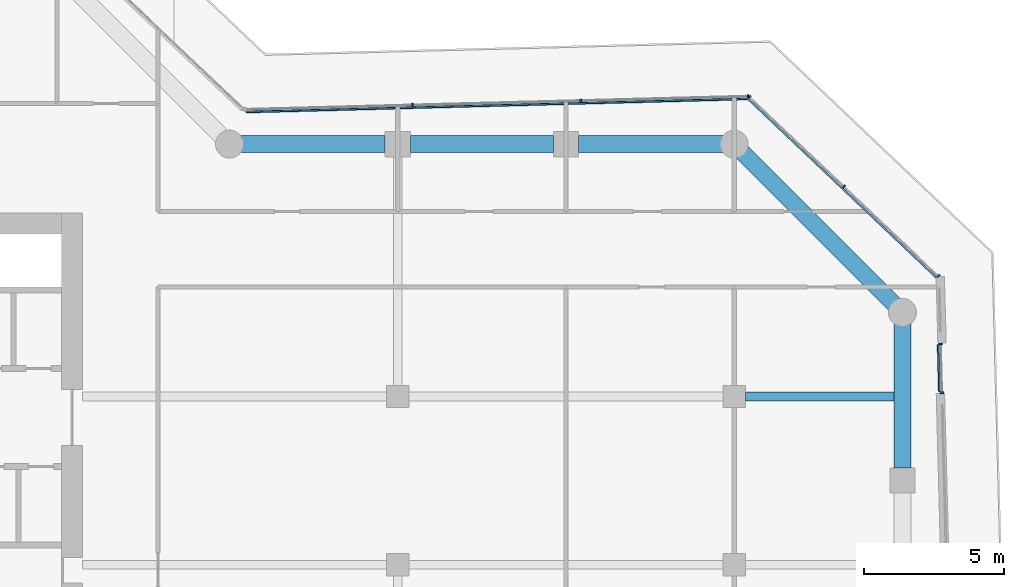
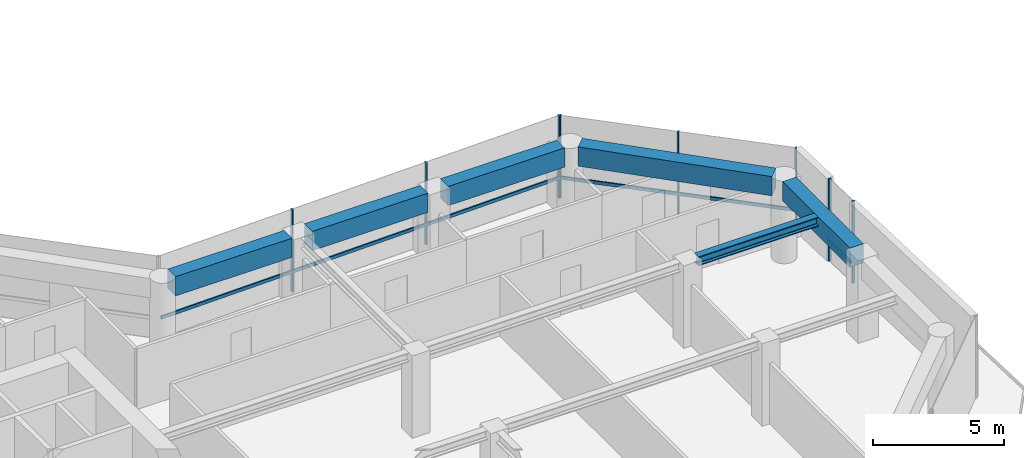
# One storey, part 8 of 23: 11 members, 6 beams, 3 elements without a shape of their own.
"""IFC4 building model written with IfcOpenShell, lengths in metres."""

from ifc_helpers import new_model, si_unit, direction, frame, origin, origin_2d, place, context, subcontext, project, spatial, rectangle, i_section, extrude, material, layer, layer_set, material_profile, profile_set, type_object, element, aggregate, save


model = new_model("IFC4")

# Units and contexts
model_context = context("Model", 3, precision=1e-05, world=origin(), true_north=direction((0.0, 1.0)))
body_context = subcontext(model_context, "Body", "Model", "MODEL_VIEW")
ifc_project = project(units=[si_unit("LENGTHUNIT", "METRE"), si_unit("AREAUNIT", "SQUARE_METRE"), si_unit("VOLUMEUNIT", "CUBIC_METRE"), si_unit("PLANEANGLEUNIT", "RADIAN"), si_unit("MASSUNIT", "GRAM", prefix="KILO")], contexts=[model_context])

# Site, building, storey
site_placement = place(None, origin())
site = spatial("IfcSite", under=ifc_project, at=site_placement, CompositionType="ELEMENT")
building_placement = place(site_placement, origin())
building = spatial("IfcBuilding", under=site, at=building_placement, Name="Welwitschia Terrace Campus", CompositionType="ELEMENT")
storey_placement = place(building_placement, frame((0.0, 0.0, 104.60009765625)))
storey = spatial("IfcBuildingStorey", under=building, at=storey_placement, Name="L23", CompositionType="ELEMENT", Elevation=104.60009765625)

# Beam
ifc_material_1 = material(Name="Steel S355", Category="steel")
ifc_material_profile_1 = material_profile(ifc_material_1, i_section(OverallWidth=0.306884765625, OverallDepth=0.431884765625, WebThickness=0.02099609375, FlangeThickness=0.0400390625, FilletRadius=0.027099609375, at=origin_2d()))
ifc_profile_set_1 = profile_set([ifc_material_profile_1], Name="Steel S355")
beam_type_1 = type_object("IfcBeamType", Name="Interior girder HE 400 M", PredefinedType="BEAM", material=ifc_profile_set_1)
beam_1_placement = place(storey_placement, frame((48.400390625, 19.0, 3.6337890625), z_axis=(1.0, 0.0, 0.0), x_axis=(0.0, 1.0, 0.0)))
element("IfcBeam", 1, at=beam_1_placement, inside=storey, type_object=beam_type_1, Name="Girder GB3", PredefinedType="BEAM", context=body_context, shape_type="SweptSolid", body=[
    extrude(i_section(OverallWidth=0.306884765625, OverallDepth=0.431884765625, WebThickness=0.02099609375, FlangeThickness=0.0400390625, FilletRadius=0.027099609375, at=origin_2d()), origin(), (0.0, 0.0, 1.0), 5.609619140625),
])

# Curtain wall, members
ifc_material_2 = material(Name="Bronze anodised aluminium", Category="aluminium")
ifc_layer = layer(ifc_material_2, 0.1201171875)
ifc_layer_set = layer_set([ifc_layer], Name="Bronze anodised aluminium")
curtain_wall_type = type_object("IfcCurtainWallType", Name="Curtain wall CW2 tower 6000", PredefinedType="NOTDEFINED", material=ifc_layer_set)
curtain_wall_1_placement = place(storey_placement, origin())
curtain_wall_1 = element("IfcCurtainWall", 2, at=curtain_wall_1_placement, inside=storey, type_object=curtain_wall_type, Name="CW L23.5.S0", PredefinedType="NOTDEFINED")
ifc_material_3 = material(Name="Bronze anodised aluminium", Category="aluminium")
ifc_material_profile_2 = material_profile(ifc_material_3, rectangle(XDim=0.1201171875, YDim=0.06005859375, at=origin_2d()))
ifc_profile_set_2 = profile_set([ifc_material_profile_2], Name="Bronze anodised aluminium")
member_type_1 = type_object("IfcMemberType", Name="Mullion 60x120", PredefinedType="MULLION", material=ifc_profile_set_2)
member_1_placement = place(storey_placement, frame((55.408935546875, 19.134765625, 0.0), z_axis=(0.0, 0.0, 1.0), x_axis=(-0.999657324976, -0.026176948308, 0.0)))
member_1 = element("IfcMember", 3, at=member_1_placement, type_object=member_type_1, Name="Mullion L23.5.S0.0", PredefinedType="MULLION", context=body_context, shape_type="SweptSolid", body=[
    extrude(rectangle(XDim=0.1201171875, YDim=0.06005859375, at=origin_2d()), origin(), (0.0, 0.0, 1.0), 3.849853515625),
])
member_2_placement = place(storey_placement, frame((55.36328125, 20.874267578125, 0.0), z_axis=(0.0, 0.0, 1.0), x_axis=(-0.999657324976, -0.026176948308, 0.0)))
member_2 = element("IfcMember", 4, at=member_2_placement, type_object=member_type_1, Name="Mullion L23.5.S0.1", PredefinedType="MULLION", context=body_context, shape_type="SweptSolid", body=[
    extrude(rectangle(XDim=0.1201171875, YDim=0.06005859375, at=origin_2d()), origin(), (0.0, 0.0, 1.0), 3.849853515625),
])

curtain_wall_2_placement = place(storey_placement, origin())
curtain_wall_2 = element("IfcCurtainWall", 5, at=curtain_wall_2_placement, inside=storey, type_object=curtain_wall_type, Name="CW L23.6.0", PredefinedType="NOTDEFINED")
member_3_placement = place(storey_placement, frame((55.278564453125, 23.2978515625, 0.0), z_axis=(0.0, 0.0, 1.0), x_axis=(-0.688354575694, -0.725374371012, 0.0)))
member_3 = element("IfcMember", 6, at=member_3_placement, type_object=member_type_1, Name="Mullion L23.6.0.0", PredefinedType="MULLION", context=body_context, shape_type="SweptSolid", body=[
    extrude(rectangle(XDim=0.1201171875, YDim=0.06005859375, at=origin_2d()), origin(), (0.0, 0.0, 1.0), 3.849853515625),
])
member_4_placement = place(storey_placement, frame((51.913330078125, 26.4912109375, 0.0), z_axis=(0.0, 0.0, 1.0), x_axis=(-0.688354575694, -0.725374371012, 0.0)))
member_4 = element("IfcMember", 7, at=member_4_placement, type_object=member_type_1, Name="Mullion L23.6.0.1", PredefinedType="MULLION", context=body_context, shape_type="SweptSolid", body=[
    extrude(rectangle(XDim=0.1201171875, YDim=0.06005859375, at=origin_2d()), origin(), (0.0, 0.0, 1.0), 3.849853515625),
])
member_5_placement = place(storey_placement, frame((48.548095703125, 29.684814453125, 0.0), z_axis=(0.0, 0.0, 1.0), x_axis=(-0.688354575694, -0.725374371012, 0.0)))
member_5 = element("IfcMember", 8, at=member_5_placement, type_object=member_type_1, Name="Mullion L23.6.0.2", PredefinedType="MULLION", context=body_context, shape_type="SweptSolid", body=[
    extrude(rectangle(XDim=0.1201171875, YDim=0.06005859375, at=origin_2d()), origin(), (0.0, 0.0, 1.0), 3.849853515625),
])

curtain_wall_3_placement = place(storey_placement, origin())
curtain_wall_3 = element("IfcCurtainWall", 9, at=curtain_wall_3_placement, inside=storey, type_object=curtain_wall_type, Name="CW L23.7.0", PredefinedType="NOTDEFINED")
member_6_placement = place(storey_placement, frame((48.49658203125, 29.70458984375, 0.0), z_axis=(0.0, 0.0, 1.0), x_axis=(0.026176948308, -0.999657324976, 0.0)))
member_6 = element("IfcMember", 10, at=member_6_placement, type_object=member_type_1, Name="Mullion L23.7.0.0", PredefinedType="MULLION", context=body_context, shape_type="SweptSolid", body=[
    extrude(rectangle(XDim=0.1201171875, YDim=0.06005859375, at=origin_2d()), origin(), (0.0, 0.0, 1.0), 3.849853515625),
])
member_7_placement = place(storey_placement, frame((42.528564453125, 29.54833984375, 0.0), z_axis=(0.0, 0.0, 1.0), x_axis=(0.026176948308, -0.999657324976, 0.0)))
member_7 = element("IfcMember", 11, at=member_7_placement, type_object=member_type_1, Name="Mullion L23.7.0.1", PredefinedType="MULLION", context=body_context, shape_type="SweptSolid", body=[
    extrude(rectangle(XDim=0.1201171875, YDim=0.06005859375, at=origin_2d()), origin(), (0.0, 0.0, 1.0), 3.849853515625),
])
member_8_placement = place(storey_placement, frame((36.530517578125, 29.391357421875, 0.0), z_axis=(0.0, 0.0, 1.0), x_axis=(0.026176948308, -0.999657324976, 0.0)))
member_8 = element("IfcMember", 12, at=member_8_placement, type_object=member_type_1, Name="Mullion L23.7.0.2", PredefinedType="MULLION", context=body_context, shape_type="SweptSolid", body=[
    extrude(rectangle(XDim=0.1201171875, YDim=0.06005859375, at=origin_2d()), origin(), (0.0, 0.0, 1.0), 3.849853515625),
])

# Beams
ifc_material_4 = material(Name="Concrete C60/75", Category="concrete")
ifc_material_profile_3 = material_profile(ifc_material_4, rectangle(XDim=0.60009765625, YDim=0.89990234375, at=origin_2d()))
ifc_profile_set_3 = profile_set([ifc_material_profile_3], Name="Concrete C60/75")
beam_type_2 = type_object("IfcBeamType", Name="Ring spandrel 600x900", PredefinedType="SPANDREL", material=ifc_profile_set_3)
beam_2_placement = place(storey_placement, frame((54.0, 16.450439453125, 3.39990234375), z_axis=(0.0, 1.0, 0.0), x_axis=(-1.0, 0.0, 0.0)))
element("IfcBeam", 13, at=beam_2_placement, inside=storey, type_object=beam_type_2, Name="Spandrel SP2", PredefinedType="SPANDREL", context=body_context, shape_type="SweptSolid", body=[
    extrude(rectangle(XDim=0.60009765625, YDim=0.89990234375, at=origin_2d()), origin(), (0.0, 0.0, 1.0), 5.149169921875),
])
beam_3_placement = place(storey_placement, frame((53.716796875, 22.283203125, 3.39990234375), z_axis=(-0.707106781187, 0.707106781187, 0.0), x_axis=(-0.707106781187, -0.707106781187, 0.0)))
element("IfcBeam", 14, at=beam_3_placement, inside=storey, type_object=beam_type_2, Name="Spandrel SP2", PredefinedType="SPANDREL", context=body_context, shape_type="SweptSolid", body=[
    extrude(rectangle(XDim=0.60009765625, YDim=0.89990234375, at=origin_2d()), origin(), (0.0, 0.0, 1.0), 7.684326171875),
])
beam_4_placement = place(storey_placement, frame((47.599609375, 28.0, 3.39990234375), z_axis=(-1.0, 0.0, 0.0), x_axis=(0.0, -1.0, 0.0)))
element("IfcBeam", 15, at=beam_4_placement, inside=storey, type_object=beam_type_2, Name="Spandrel SP2", PredefinedType="SPANDREL", context=body_context, shape_type="SweptSolid", body=[
    extrude(rectangle(XDim=0.60009765625, YDim=0.89990234375, at=origin_2d()), origin(), (0.0, 0.0, 1.0), 5.149169921875),
])
beam_5_placement = place(storey_placement, frame((41.549560546875, 28.0, 3.39990234375), z_axis=(-1.0, 0.0, 0.0), x_axis=(0.0, -1.0, 0.0)))
element("IfcBeam", 16, at=beam_5_placement, inside=storey, type_object=beam_type_2, Name="Spandrel SP2", PredefinedType="SPANDREL", context=body_context, shape_type="SweptSolid", body=[
    extrude(rectangle(XDim=0.60009765625, YDim=0.89990234375, at=origin_2d()), origin(), (0.0, 0.0, 1.0), 5.09912109375),
])
beam_6_placement = place(storey_placement, frame((35.549560546875, 28.0, 3.39990234375), z_axis=(-1.0, 0.0, 0.0), x_axis=(0.0, -1.0, 0.0)))
element("IfcBeam", 17, at=beam_6_placement, inside=storey, type_object=beam_type_2, Name="Spandrel SP2", PredefinedType="SPANDREL", context=body_context, shape_type="SweptSolid", body=[
    extrude(rectangle(XDim=0.60009765625, YDim=0.89990234375, at=origin_2d()), origin(), (0.0, 0.0, 1.0), 5.149169921875),
])

# Member
ifc_material_5 = material(Name="Bronze anodised aluminium", Category="aluminium")
ifc_material_profile_4 = material_profile(ifc_material_5, rectangle(XDim=0.06005859375, YDim=0.14990234375, at=origin_2d()))
ifc_profile_set_4 = profile_set([ifc_material_profile_4], Name="Bronze anodised aluminium")
member_type_2 = type_object("IfcMemberType", Name="Transom 60x150", PredefinedType="USERDEFINED", material=ifc_profile_set_4)
member_9_placement = place(storey_placement, frame((55.318115234375, 19.162353515625, 1.0), z_axis=(-0.026157640568, 0.99965783038, 0.0), x_axis=(-0.99965783038, -0.026157640568, 0.0)))
member_9 = element("IfcMember", 18, at=member_9_placement, type_object=member_type_2, Name="Transom L23.5.S0", ObjectType="TRANSOM", PredefinedType="USERDEFINED", context=body_context, shape_type="SweptSolid", body=[
    extrude(rectangle(XDim=0.06005859375, YDim=0.14990234375, at=origin_2d()), origin(), (0.0, 0.0, 1.0), 1.679931640625),
])

aggregate(curtain_wall_1, [member_1, member_2, member_9])

member_10_placement = place(storey_placement, frame((55.19482421875, 23.253173828125, 1.0), z_axis=(-0.725363666548, 0.688365855669, 0.0), x_axis=(-0.688365855669, -0.725363666548, 0.0)))
member_10 = element("IfcMember", 19, at=member_10_placement, type_object=member_type_2, Name="Transom L23.6.0", ObjectType="TRANSOM", PredefinedType="USERDEFINED", context=body_context, shape_type="SweptSolid", body=[
    extrude(rectangle(XDim=0.06005859375, YDim=0.14990234375, at=origin_2d()), origin(), (0.0, 0.0, 1.0), 9.218505859375),
])

aggregate(curtain_wall_2, [member_3, member_4, member_5, member_10])

member_11_placement = place(storey_placement, frame((48.46875, 29.61376953125, 1.0), z_axis=(-0.999657359814, -0.026175617855, 0.0), x_axis=(0.026175617855, -0.999657359814, 0.0)))
member_11 = element("IfcMember", 20, at=member_11_placement, type_object=member_type_2, Name="Transom L23.7.0", ObjectType="TRANSOM", PredefinedType="USERDEFINED", context=body_context, shape_type="SweptSolid", body=[
    extrude(rectangle(XDim=0.06005859375, YDim=0.14990234375, at=origin_2d()), origin(), (0.0, 0.0, 1.0), 17.8798828125),
])

aggregate(curtain_wall_3, [member_6, member_7, member_8, member_11])

save(model, "model.ifc")
